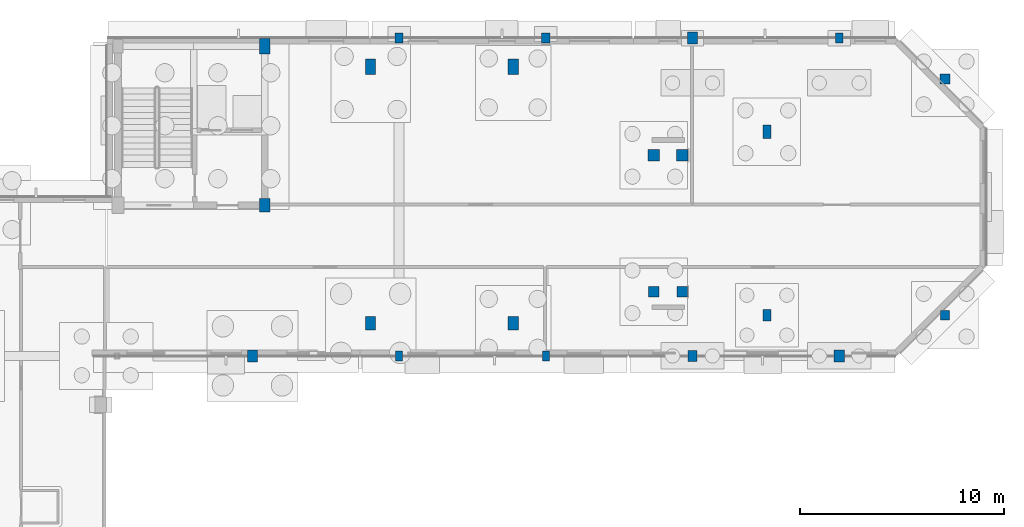
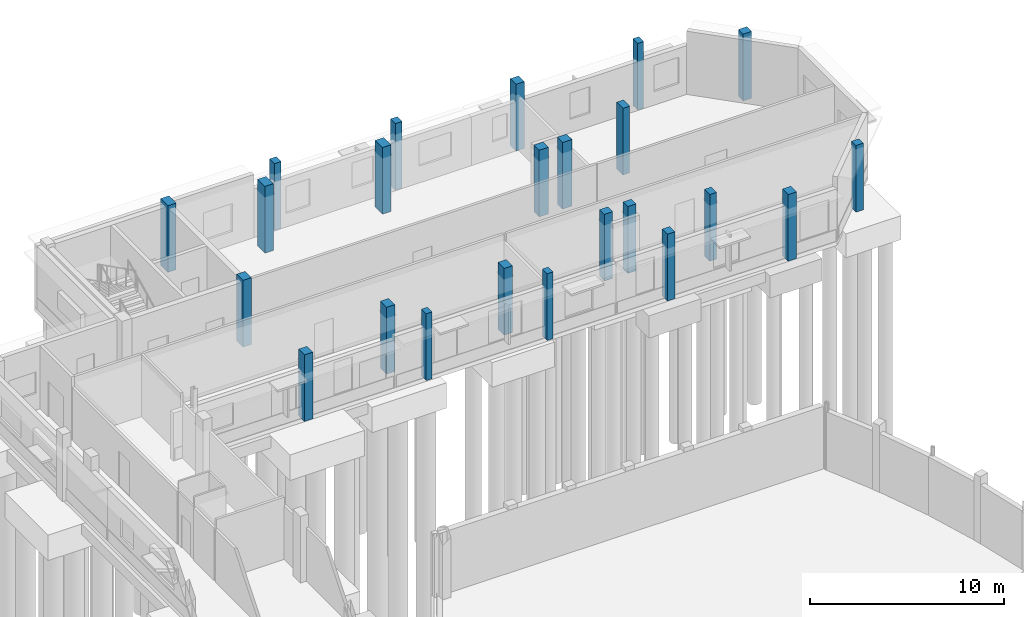
# One storey, part 27 of 93: 23 columns.
"""IFC4 building model written with IfcOpenShell, lengths in metres."""

from ifc_helpers import new_model, si_unit, direction, frame, origin, origin_2d, place, context, subcontext, project, spatial, rectangle, extrude, material, material_profile, profile_set, type_object, element, save


model = new_model("IFC4")

# Units and contexts
model_context = context("Model", 3, precision=1e-05, world=origin(), true_north=direction((0.0, 1.0)))
body_context = subcontext(model_context, "Body", "Model", "MODEL_VIEW")
ifc_project = project(units=[si_unit("LENGTHUNIT", "METRE"), si_unit("AREAUNIT", "SQUARE_METRE"), si_unit("VOLUMEUNIT", "CUBIC_METRE"), si_unit("PLANEANGLEUNIT", "RADIAN"), si_unit("MASSUNIT", "GRAM", prefix="KILO")], contexts=[model_context])

# Site, building, storey
site_placement = place(None, origin())
site = spatial("IfcSite", under=ifc_project, at=site_placement, CompositionType="ELEMENT")
building_placement = place(site_placement, origin())
building = spatial("IfcBuilding", under=site, at=building_placement, Name="Kelanivale Promenade Academy", CompositionType="ELEMENT")
storey_placement = place(building_placement, origin())
storey = spatial("IfcBuildingStorey", under=building, at=storey_placement, Name="L00", CompositionType="ELEMENT", Elevation=0.0)

# Columns
ifc_material = material(Name="Concrete C40/50", Category="concrete")
ifc_material_profile_1 = material_profile(ifc_material, rectangle(XDim=0.449951171875, YDim=0.449951171875, at=origin_2d()), Name="RC-COL 450x450")
ifc_profile_set_1 = profile_set([ifc_material_profile_1], Name="Concrete C40/50")
column_type_1 = type_object("IfcColumnType", Name="C-02 RC-COL 450x450", PredefinedType="COLUMN", material=ifc_profile_set_1)
column_1_placement = place(storey_placement, frame((164.0, 98.39990234375, 0.0), z_axis=(0.0, 0.0, 1.0), x_axis=(1.0, 0.0, 0.0)))
element("IfcColumn", 1, at=column_1_placement, inside=storey, type_object=column_type_1, Name="Column C-02 at (164.0, 98.4) L00", PredefinedType="COLUMN", context=body_context, shape_type="SweptSolid", body=[
    extrude(rectangle(XDim=0.449951171875, YDim=0.449951171875, at=origin_2d()), origin(), (0.0, 0.0, 1.0), 4.199951171875),
])
ifc_material_profile_2 = material_profile(ifc_material, rectangle(XDim=0.5, YDim=0.5, at=origin_2d()), Name="RC-COL 500x500")
ifc_profile_set_2 = profile_set([ifc_material_profile_2], Name="Concrete C40/50")
column_type_2 = type_object("IfcColumnType", Name="C-03 RC-COL 500x500", PredefinedType="COLUMN", material=ifc_profile_set_2)
for number, where, z_axis, x_axis, name in (
    (2, (149.699951171875, 99.550048828125, 0.0), (0.0, 0.0, 1.0), (1.0, 0.0, 0.0), "Column C-03 at (149.7, 99.5) L00"),
    (3, (151.10009765625, 99.550048828125, 0.0), (0.0, 0.0, 1.0), (1.0, 0.0, 0.0), "Column C-03 at (151.1, 99.5) L00"),
    (4, (164.0, 110.0, 0.0), (0.0, 0.0, 1.0), (1.0, 0.0, 0.0), "Column C-03 at (164.0, 110.0) L00"),
):
    element("IfcColumn", number, at=place(storey_placement, frame(where, z_axis=z_axis, x_axis=x_axis)), inside=storey, type_object=column_type_2, Name=name, PredefinedType="COLUMN", context=body_context, shape_type="SweptSolid", body=[
        extrude(rectangle(XDim=0.5, YDim=0.5, at=origin_2d()), origin(), (0.0, 0.0, 1.0), 4.199951171875),
    ])
ifc_material_profile_3 = material_profile(ifc_material, rectangle(XDim=0.550048828125, YDim=0.550048828125, at=origin_2d()), Name="RC-COL 550x550")
ifc_profile_set_3 = profile_set([ifc_material_profile_3], Name="Concrete C40/50")
column_type_3 = type_object("IfcColumnType", Name="C-04 RC-COL 550x550", PredefinedType="COLUMN", material=ifc_profile_set_3)
for number, where, z_axis, x_axis, name in (
    (5, (149.699951171875, 106.25, 0.0), (0.0, 0.0, 1.0), (1.0, 0.0, 0.0), "Column C-04 at (149.7, 106.2) L00"),
    (6, (151.10009765625, 106.25, 0.0), (0.0, 0.0, 1.0), (1.0, 0.0, 0.0), "Column C-04 at (151.1, 106.2) L00"),
):
    element("IfcColumn", number, at=place(storey_placement, frame(where, z_axis=z_axis, x_axis=x_axis)), inside=storey, type_object=column_type_3, Name=name, PredefinedType="COLUMN", context=body_context, shape_type="SweptSolid", body=[
        extrude(rectangle(XDim=0.550048828125, YDim=0.550048828125, at=origin_2d()), origin(), (0.0, 0.0, 1.0), 4.199951171875),
    ])
ifc_material_profile_4 = material_profile(ifc_material, rectangle(XDim=0.39990234375, YDim=0.550048828125, at=origin_2d()), Name="RC-COL 400x550")
ifc_profile_set_4 = profile_set([ifc_material_profile_4], Name="Concrete C40/50")
column_type_4 = type_object("IfcColumnType", Name="C-07 RC-COL 400x550", PredefinedType="COLUMN", material=ifc_profile_set_4)
column_2_placement = place(storey_placement, frame((155.25, 98.39990234375, 0.0), z_axis=(0.0, 0.0, 1.0), x_axis=(1.0, 0.0, 0.0)))
element("IfcColumn", 7, at=column_2_placement, inside=storey, type_object=column_type_4, Name="Column C-07 at (155.2, 98.4) L00", PredefinedType="COLUMN", context=body_context, shape_type="SweptSolid", body=[
    extrude(rectangle(XDim=0.39990234375, YDim=0.550048828125, at=origin_2d()), origin(), (0.0, 0.0, 1.0), 4.199951171875),
])
ifc_material_profile_5 = material_profile(ifc_material, rectangle(XDim=0.39990234375, YDim=0.64990234375, at=origin_2d()), Name="RC-COL 400x650")
ifc_profile_set_5 = profile_set([ifc_material_profile_5], Name="Concrete C40/50")
column_type_5 = type_object("IfcColumnType", Name="C-08 RC-COL 400x650", PredefinedType="COLUMN", material=ifc_profile_set_5)
column_3_placement = place(storey_placement, frame((155.25, 107.39990234375, 0.0), z_axis=(0.0, 0.0, 1.0), x_axis=(1.0, 0.0, 0.0)))
element("IfcColumn", 8, at=column_3_placement, inside=storey, type_object=column_type_5, Name="Column C-08 at (155.2, 107.4) L00", PredefinedType="COLUMN", context=body_context, shape_type="SweptSolid", body=[
    extrude(rectangle(XDim=0.39990234375, YDim=0.64990234375, at=origin_2d()), origin(), (0.0, 0.0, 1.0), 4.199951171875),
])
ifc_material_profile_6 = material_profile(ifc_material, rectangle(XDim=0.5, YDim=0.64990234375, at=origin_2d()), Name="RC-COL 500x650")
ifc_profile_set_6 = profile_set([ifc_material_profile_6], Name="Concrete C40/50")
column_type_6 = type_object("IfcColumnType", Name="C-11 RC-COL 500x650", PredefinedType="COLUMN", material=ifc_profile_set_6)
for number, where, z_axis, x_axis, name in (
    (9, (130.60009765625, 103.800048828125, 0.0), (0.0, 0.0, 1.0), (1.0, 0.0, 0.0), "Column C-11 at (130.6, 103.8) L00"),
    (10, (135.800048828125, 98.0, 0.0), (0.0, 0.0, 1.0), (1.0, 0.0, 0.0), "Column C-11 at (135.8, 98.0) L00"),
    (11, (142.800048828125, 98.0, 0.0), (0.0, 0.0, 1.0), (1.0, 0.0, 0.0), "Column C-11 at (142.8, 98.0) L00"),
):
    element("IfcColumn", number, at=place(storey_placement, frame(where, z_axis=z_axis, x_axis=x_axis)), inside=storey, type_object=column_type_6, Name=name, PredefinedType="COLUMN", context=body_context, shape_type="SweptSolid", body=[
        extrude(rectangle(XDim=0.5, YDim=0.64990234375, at=origin_2d()), origin(), (0.0, 0.0, 1.0), 4.199951171875),
    ])
ifc_material_profile_7 = material_profile(ifc_material, rectangle(XDim=0.5, YDim=0.75, at=origin_2d()), Name="RC-COL 500x750")
ifc_profile_set_7 = profile_set([ifc_material_profile_7], Name="Concrete C40/50")
column_type_7 = type_object("IfcColumnType", Name="C-12 RC-COL 500x750", PredefinedType="COLUMN", material=ifc_profile_set_7)
for number, where, z_axis, x_axis, name in (
    (12, (130.60009765625, 111.60009765625, 0.0), (0.0, 0.0, 1.0), (1.0, 0.0, 0.0), "Column C-12 at (130.6, 111.6) L00"),
    (13, (135.800048828125, 110.60009765625, 0.0), (0.0, 0.0, 1.0), (1.0, 0.0, 0.0), "Column C-12 at (135.8, 110.6) L00"),
    (14, (142.800048828125, 110.60009765625, 0.0), (0.0, 0.0, 1.0), (1.0, 0.0, 0.0), "Column C-12 at (142.8, 110.6) L00"),
):
    element("IfcColumn", number, at=place(storey_placement, frame(where, z_axis=z_axis, x_axis=x_axis)), inside=storey, type_object=column_type_7, Name=name, PredefinedType="COLUMN", context=body_context, shape_type="SweptSolid", body=[
        extrude(rectangle(XDim=0.5, YDim=0.75, at=origin_2d()), origin(), (0.0, 0.0, 1.0), 4.199951171875),
    ])
ifc_material_profile_8 = material_profile(ifc_material, rectangle(XDim=0.35009765625, YDim=0.5, at=origin_2d()), Name="RC-PIL 350x500")
ifc_profile_set_8 = profile_set([ifc_material_profile_8], Name="Concrete C40/50")
column_type_8 = type_object("IfcColumnType", Name="PL-15 RC-PIL 350x500", PredefinedType="PILASTER", material=ifc_profile_set_8)
for number, where, z_axis, x_axis, name in (
    (15, (137.199951171875, 96.39990234375, 0.0), (0.0, 0.0, 1.0), (1.0, 0.0, 0.0), "Column PL-15 at (137.2, 96.4) L00"),
    (16, (144.39990234375, 96.39990234375, 0.0), (0.0, 0.0, 1.0), (1.0, 0.0, 0.0), "Column PL-15 at (144.4, 96.4) L00"),
    (17, (158.800048828125, 112.0, 0.0), (0.0, 0.0, 1.0), (1.0, 0.0, 0.0), "Column PL-15 at (158.8, 112.0) L00"),
):
    element("IfcColumn", number, at=place(storey_placement, frame(where, z_axis=z_axis, x_axis=x_axis)), inside=storey, type_object=column_type_8, Name=name, PredefinedType="PILASTER", context=body_context, shape_type="SweptSolid", body=[
        extrude(rectangle(XDim=0.35009765625, YDim=0.5, at=origin_2d()), origin(), (0.0, 0.0, 1.0), 4.199951171875),
    ])
ifc_material_profile_9 = material_profile(ifc_material, rectangle(XDim=0.39990234375, YDim=0.5, at=origin_2d()), Name="RC-PIL 400x500")
ifc_profile_set_9 = profile_set([ifc_material_profile_9], Name="Concrete C40/50")
column_type_9 = type_object("IfcColumnType", Name="PL-16 RC-PIL 400x500", PredefinedType="PILASTER", material=ifc_profile_set_9)
for number, where, z_axis, x_axis, name in (
    (18, (137.199951171875, 112.0, 0.0), (0.0, 0.0, 1.0), (1.0, 0.0, 0.0), "Column PL-16 at (137.2, 112.0) L00"),
    (19, (144.39990234375, 112.0, 0.0), (0.0, 0.0, 1.0), (1.0, 0.0, 0.0), "Column PL-16 at (144.4, 112.0) L00"),
):
    element("IfcColumn", number, at=place(storey_placement, frame(where, z_axis=z_axis, x_axis=x_axis)), inside=storey, type_object=column_type_9, Name=name, PredefinedType="PILASTER", context=body_context, shape_type="SweptSolid", body=[
        extrude(rectangle(XDim=0.39990234375, YDim=0.5, at=origin_2d()), origin(), (0.0, 0.0, 1.0), 4.199951171875),
    ])
ifc_material_profile_10 = material_profile(ifc_material, rectangle(XDim=0.449951171875, YDim=0.550048828125, at=origin_2d()), Name="RC-PIL 450x550")
ifc_profile_set_10 = profile_set([ifc_material_profile_10], Name="Concrete C40/50")
column_type_10 = type_object("IfcColumnType", Name="PL-17 RC-PIL 450x550", PredefinedType="PILASTER", material=ifc_profile_set_10)
column_4_placement = place(storey_placement, frame((151.60009765625, 96.39990234375, 0.0), z_axis=(0.0, 0.0, 1.0), x_axis=(1.0, 0.0, 0.0)))
element("IfcColumn", 20, at=column_4_placement, inside=storey, type_object=column_type_10, Name="Column PL-17 at (151.6, 96.4) L00", PredefinedType="PILASTER", context=body_context, shape_type="SweptSolid", body=[
    extrude(rectangle(XDim=0.449951171875, YDim=0.550048828125, at=origin_2d()), origin(), (0.0, 0.0, 1.0), 4.199951171875),
])
ifc_material_profile_11 = material_profile(ifc_material, rectangle(XDim=0.5, YDim=0.60009765625, at=origin_2d()), Name="RC-PIL 500x600")
ifc_profile_set_11 = profile_set([ifc_material_profile_11], Name="Concrete C40/50")
column_type_11 = type_object("IfcColumnType", Name="PL-18 RC-PIL 500x600", PredefinedType="PILASTER", material=ifc_profile_set_11)
for number, where, z_axis, x_axis, name in (
    (21, (130.0, 96.39990234375, 0.0), (0.0, 0.0, 1.0), (1.0, 0.0, 0.0), "Column PL-18 at (130.0, 96.4) L00"),
    (22, (151.60009765625, 112.0, 0.0), (0.0, 0.0, 1.0), (1.0, 0.0, 0.0), "Column PL-18 at (151.6, 112.0) L00"),
    (23, (158.800048828125, 96.39990234375, 0.0), (0.0, 0.0, 1.0), (1.0, 0.0, 0.0), "Column PL-18 at (158.8, 96.4) L00"),
):
    element("IfcColumn", number, at=place(storey_placement, frame(where, z_axis=z_axis, x_axis=x_axis)), inside=storey, type_object=column_type_11, Name=name, PredefinedType="PILASTER", context=body_context, shape_type="SweptSolid", body=[
        extrude(rectangle(XDim=0.5, YDim=0.60009765625, at=origin_2d()), origin(), (0.0, 0.0, 1.0), 4.199951171875),
    ])

save(model, "model.ifc")
